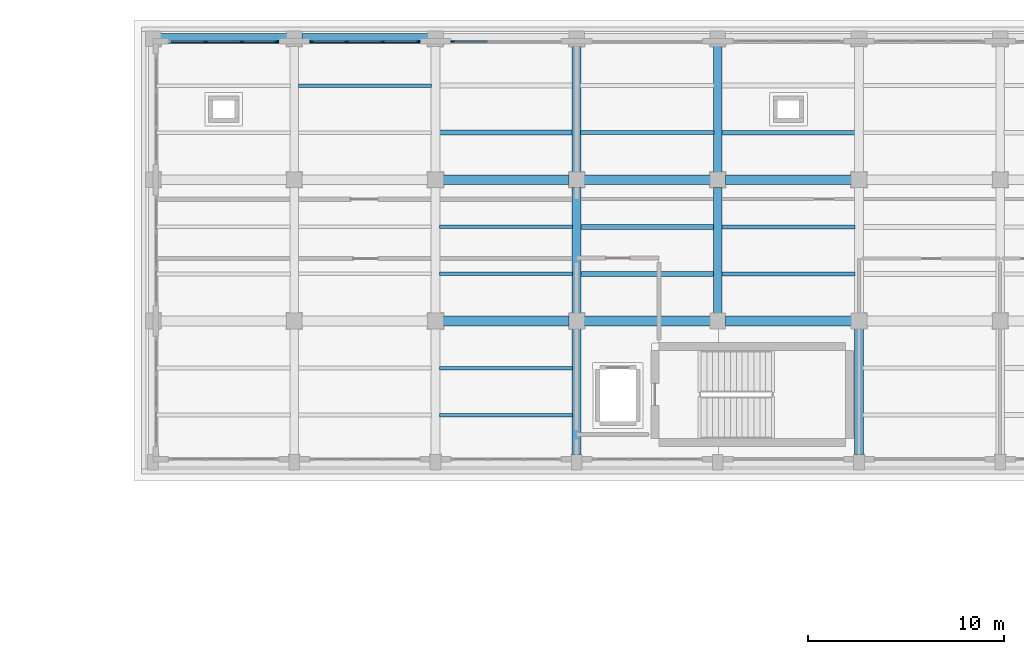
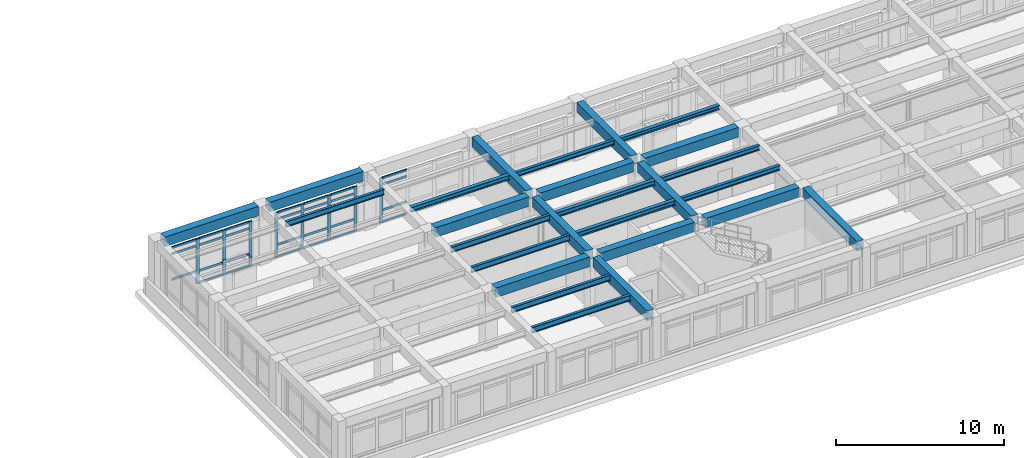
# One storey, part 54 of 98: 35 members, 26 beams, 3 elements without a shape of their own.
"""IFC4 building model written with IfcOpenShell, lengths in metres."""

from ifc_helpers import new_model, si_unit, direction, frame, origin, origin_2d, place, context, subcontext, project, spatial, rectangle, i_section, extrude, material, layer, layer_set, material_profile, profile_set, type_object, element, aggregate, save


model = new_model("IFC4")

# Units and contexts
model_context = context("Model", 3, precision=1e-05, world=origin(), true_north=direction((0.0, 1.0)))
body_context = subcontext(model_context, "Body", "Model", "MODEL_VIEW")
ifc_project = project(units=[si_unit("LENGTHUNIT", "METRE"), si_unit("AREAUNIT", "SQUARE_METRE"), si_unit("VOLUMEUNIT", "CUBIC_METRE"), si_unit("PLANEANGLEUNIT", "RADIAN"), si_unit("MASSUNIT", "GRAM", prefix="KILO")], contexts=[model_context])

# Site, building, storey
site_placement = place(None, origin())
site = spatial("IfcSite", under=ifc_project, at=site_placement, CompositionType="ELEMENT")
building_placement = place(site_placement, origin())
building = spatial("IfcBuilding", under=site, at=building_placement, Name="Solenvale Faculty of Natural Sciences", CompositionType="ELEMENT")
storey_placement = place(building_placement, frame((0.0, 0.0, 9.0)))
storey = spatial("IfcBuildingStorey", under=building, at=storey_placement, Name="L02", CompositionType="ELEMENT", Elevation=9.0)

# Beams
ifc_material_1 = material(Name="Concrete 40 MPa", Category="concrete")
ifc_material_profile_1 = material_profile(ifc_material_1, rectangle(XDim=0.449951171875, YDim=0.699951171875, at=origin_2d()), Name="RC-BM-450x700")
ifc_profile_set_1 = profile_set([ifc_material_profile_1], Name="Concrete 40 MPa")
beam_type_1 = type_object("IfcBeamType", Name="BM-RC-450x700", PredefinedType="BEAM", material=ifc_profile_set_1)
beam_1_placement = place(storey_placement, frame((100.800048828125, 93.97998046875, 3.8701171875), z_axis=(0.0, 1.0, 0.0), x_axis=(-1.0, 0.0, 0.0)))
element("IfcBeam", 1, at=beam_1_placement, inside=storey, type_object=beam_type_1, Name="L02 Y-Girder X100.8 (93.6..100.8)", PredefinedType="BEAM", context=body_context, shape_type="SweptSolid", body=[
    extrude(rectangle(XDim=0.449951171875, YDim=0.699951171875, at=origin_2d()), origin(), (0.0, 0.0, 1.0), 6.43994140625),
])
for number, where, z_axis, x_axis, name in (
    (2, (100.800048828125, 101.179931640625, 3.8701171875), (0.0, 1.0, 0.0), (-1.0, 0.0, 0.0), "L02 Y-Girder X100.8 (100.8..108.0)"),
    (3, (100.800048828125, 108.3798828125, 3.8701171875), (0.0, 1.0, 0.0), (-1.0, 0.0, 0.0), "L02 Y-Girder X100.8 (108.0..115.2)"),
    (4, (108.0, 101.179931640625, 3.8701171875), (0.0, 1.0, 0.0), (-1.0, 0.0, 0.0), "L02 Y-Girder X108.0 (100.8..108.0)"),
    (5, (108.0, 108.3798828125, 3.8701171875), (0.0, 1.0, 0.0), (-1.0, 0.0, 0.0), "L02 Y-Girder X108.0 (108.0..115.2)"),
):
    element("IfcBeam", number, at=place(storey_placement, frame(where, z_axis=z_axis, x_axis=x_axis)), inside=storey, type_object=beam_type_1, Name=name, PredefinedType="BEAM", context=body_context, shape_type="SweptSolid", body=[
        extrude(rectangle(XDim=0.449951171875, YDim=0.699951171875, at=origin_2d()), origin(), (0.0, 0.0, 1.0), 6.440185546875),
    ])
beam_2_placement = place(storey_placement, frame((115.199951171875, 93.97998046875, 3.8701171875), z_axis=(0.0, 1.0, 0.0), x_axis=(-1.0, 0.0, 0.0)))
element("IfcBeam", 6, at=beam_2_placement, inside=storey, type_object=beam_type_1, Name="L02 Y-Girder X115.2 (93.6..100.8)", PredefinedType="BEAM", context=body_context, shape_type="SweptSolid", body=[
    extrude(rectangle(XDim=0.449951171875, YDim=0.699951171875, at=origin_2d()), origin(), (0.0, 0.0, 1.0), 6.43994140625),
])
ifc_material_profile_2 = material_profile(ifc_material_1, rectangle(XDim=0.5, YDim=0.699951171875, at=origin_2d()), Name="RC-BM-500x700")
ifc_profile_set_2 = profile_set([ifc_material_profile_2], Name="Concrete 40 MPa")
beam_type_2 = type_object("IfcBeamType", Name="BM-RC-500x700", PredefinedType="BEAM", material=ifc_profile_set_2)
beam_3_placement = place(storey_placement, frame((93.97998046875, 100.800048828125, 3.8701171875), z_axis=(1.0, 0.0, 0.0), x_axis=(0.0, 1.0, 0.0)))
element("IfcBeam", 7, at=beam_3_placement, inside=storey, type_object=beam_type_2, Name="L02 X-Girder Y100.8 (93.6..100.8)", PredefinedType="BEAM", context=body_context, shape_type="SweptSolid", body=[
    extrude(rectangle(XDim=0.5, YDim=0.699951171875, at=origin_2d()), origin(), (0.0, 0.0, 1.0), 6.43994140625),
])
for number, where, z_axis, x_axis, name in (
    (8, (101.179931640625, 100.800048828125, 3.8701171875), (1.0, 0.0, 0.0), (0.0, 1.0, 0.0), "L02 X-Girder Y100.8 (100.8..108.0)"),
    (9, (108.3798828125, 100.800048828125, 3.8701171875), (1.0, 0.0, 0.0), (0.0, 1.0, 0.0), "L02 X-Girder Y100.8 (108.0..115.2)"),
):
    element("IfcBeam", number, at=place(storey_placement, frame(where, z_axis=z_axis, x_axis=x_axis)), inside=storey, type_object=beam_type_2, Name=name, PredefinedType="BEAM", context=body_context, shape_type="SweptSolid", body=[
        extrude(rectangle(XDim=0.5, YDim=0.699951171875, at=origin_2d()), origin(), (0.0, 0.0, 1.0), 6.440185546875),
    ])
beam_4_placement = place(storey_placement, frame((93.97998046875, 108.0, 3.8701171875), z_axis=(1.0, 0.0, 0.0), x_axis=(0.0, 1.0, 0.0)))
element("IfcBeam", 10, at=beam_4_placement, inside=storey, type_object=beam_type_2, Name="L02 X-Girder Y108.0 (93.6..100.8)", PredefinedType="BEAM", context=body_context, shape_type="SweptSolid", body=[
    extrude(rectangle(XDim=0.5, YDim=0.699951171875, at=origin_2d()), origin(), (0.0, 0.0, 1.0), 6.43994140625),
])
for number, where, z_axis, x_axis, name in (
    (11, (101.179931640625, 108.0, 3.8701171875), (1.0, 0.0, 0.0), (0.0, 1.0, 0.0), "L02 X-Girder Y108.0 (100.8..108.0)"),
    (12, (108.3798828125, 108.0, 3.8701171875), (1.0, 0.0, 0.0), (0.0, 1.0, 0.0), "L02 X-Girder Y108.0 (108.0..115.2)"),
):
    element("IfcBeam", number, at=place(storey_placement, frame(where, z_axis=z_axis, x_axis=x_axis)), inside=storey, type_object=beam_type_2, Name=name, PredefinedType="BEAM", context=body_context, shape_type="SweptSolid", body=[
        extrude(rectangle(XDim=0.5, YDim=0.699951171875, at=origin_2d()), origin(), (0.0, 0.0, 1.0), 6.440185546875),
    ])
ifc_material_2 = material(Name="Precast concrete 40 MPa", Category="concrete")
ifc_material_profile_3 = material_profile(ifc_material_2, rectangle(XDim=0.5, YDim=0.699951171875, at=origin_2d()), Name="RC-BM-500x700")
ifc_profile_set_3 = profile_set([ifc_material_profile_3], Name="Precast concrete 40 MPa")
beam_type_3 = type_object("IfcBeamType", Name="BM-SPN-PRC-700", PredefinedType="SPANDREL", material=ifc_profile_set_3)
for number, where, z_axis, x_axis, name in (
    (13, (79.580078125, 115.199951171875, 3.8701171875), (1.0, 0.0, 0.0), (0.0, 1.0, 0.0), "L02 X-Girder Y115.2 (79.2..86.4)"),
    (14, (86.780029296875, 115.199951171875, 3.8701171875), (1.0, 0.0, 0.0), (0.0, 1.0, 0.0), "L02 X-Girder Y115.2 (86.4..93.6)"),
):
    element("IfcBeam", number, at=place(storey_placement, frame(where, z_axis=z_axis, x_axis=x_axis)), inside=storey, type_object=beam_type_3, Name=name, PredefinedType="SPANDREL", context=body_context, shape_type="SweptSolid", body=[
        extrude(rectangle(XDim=0.5, YDim=0.699951171875, at=origin_2d()), origin(), (0.0, 0.0, 1.0), 6.43994140625),
    ])
ifc_material_3 = material(Name="Steel S355", Category="steel")
ifc_material_profile_4 = material_profile(ifc_material_3, i_section(OverallWidth=0.25390625, OverallDepth=0.305908203125, WebThickness=0.0087890625, FlangeThickness=0.0146484375, FilletRadius=0.014892578125, at=origin_2d()), Name="W310x79")
ifc_profile_set_4 = profile_set([ifc_material_profile_4], Name="Steel S355")
beam_type_4 = type_object("IfcBeamType", Name="BM-STL-W310x79", PredefinedType="JOIST", material=ifc_profile_set_4)
beam_5_placement = place(storey_placement, frame((108.205078125, 110.39990234375, 4.06689453125), z_axis=(1.0, 0.0, 0.0), x_axis=(0.0, 1.0, 0.0)))
element("IfcBeam", 15, at=beam_5_placement, inside=storey, type_object=beam_type_4, Name="L02 Composite Floor Joist (16,16).1", PredefinedType="JOIST", context=body_context, shape_type="SweptSolid", body=[
    extrude(i_section(OverallWidth=0.25390625, OverallDepth=0.305908203125, WebThickness=0.0087890625, FlangeThickness=0.0146484375, FilletRadius=0.014892578125, at=origin_2d()), origin(), (0.0, 0.0, 1.0), 6.7900390625),
])
ifc_material_profile_5 = material_profile(ifc_material_3, i_section(OverallWidth=0.2548828125, OverallDepth=0.35693359375, WebThickness=0.010498046875, FlangeThickness=0.018310546875, FilletRadius=0.014892578125, at=origin_2d()), Name="W360x101")
ifc_profile_set_5 = profile_set([ifc_material_profile_5], Name="Steel S355")
beam_type_5 = type_object("IfcBeamType", Name="BM-STL-W360x101", PredefinedType="JOIST", material=ifc_profile_set_5)
for number, where, z_axis, x_axis, name in (
    (16, (93.804931640625, 110.39990234375, 4.04150390625), (1.0, 0.0, 0.0), (0.0, 1.0, 0.0), "L02 Composite Floor Joist (14,16).1"),
    (17, (101.0048828125, 103.199951171875, 4.04150390625), (1.0, 0.0, 0.0), (0.0, 1.0, 0.0), "L02 Composite Floor Joist (15,15).1"),
    (18, (101.0048828125, 105.60009765625, 4.04150390625), (1.0, 0.0, 0.0), (0.0, 1.0, 0.0), "L02 Composite Floor Joist (15,15).2"),
):
    element("IfcBeam", number, at=place(storey_placement, frame(where, z_axis=z_axis, x_axis=x_axis)), inside=storey, type_object=beam_type_5, Name=name, PredefinedType="JOIST", context=body_context, shape_type="SweptSolid", body=[
        extrude(i_section(OverallWidth=0.2548828125, OverallDepth=0.35693359375, WebThickness=0.010498046875, FlangeThickness=0.018310546875, FilletRadius=0.014892578125, at=origin_2d()), origin(), (0.0, 0.0, 1.0), 6.7900390625),
    ])
ifc_material_profile_6 = material_profile(ifc_material_3, i_section(OverallWidth=0.2041015625, OverallDepth=0.35009765625, WebThickness=0.008544921875, FlangeThickness=0.01513671875, FilletRadius=0.014892578125, at=origin_2d()), Name="W360x72")
ifc_profile_set_6 = profile_set([ifc_material_profile_6], Name="Steel S355")
beam_type_6 = type_object("IfcBeamType", Name="BM-STL-W360x72", PredefinedType="JOIST", material=ifc_profile_set_6)
for number, where, z_axis, x_axis, name in (
    (19, (101.0048828125, 110.39990234375, 4.044921875), (1.0, 0.0, 0.0), (0.0, 1.0, 0.0), "L02 Composite Floor Joist (15,16).1"),
    (20, (108.205078125, 103.199951171875, 4.044921875), (1.0, 0.0, 0.0), (0.0, 1.0, 0.0), "L02 Composite Floor Joist (16,15).1"),
    (21, (108.205078125, 105.60009765625, 4.044921875), (1.0, 0.0, 0.0), (0.0, 1.0, 0.0), "L02 Composite Floor Joist (16,15).2"),
):
    element("IfcBeam", number, at=place(storey_placement, frame(where, z_axis=z_axis, x_axis=x_axis)), inside=storey, type_object=beam_type_6, Name=name, PredefinedType="JOIST", context=body_context, shape_type="SweptSolid", body=[
        extrude(i_section(OverallWidth=0.2041015625, OverallDepth=0.35009765625, WebThickness=0.008544921875, FlangeThickness=0.01513671875, FilletRadius=0.014892578125, at=origin_2d()), origin(), (0.0, 0.0, 1.0), 6.7900390625),
    ])
ifc_material_profile_7 = material_profile(ifc_material_3, i_section(OverallWidth=0.178955078125, OverallDepth=0.409912109375, WebThickness=0.0087890625, FlangeThickness=0.014404296875, FilletRadius=0.01611328125, at=origin_2d()), Name="W410x67")
ifc_profile_set_7 = profile_set([ifc_material_profile_7], Name="Steel S355")
beam_type_7 = type_object("IfcBeamType", Name="BM-STL-W410x67", PredefinedType="JOIST", material=ifc_profile_set_7)
for number, where, z_axis, x_axis, name in (
    (22, (86.60498046875, 112.800048828125, 4.014892578125), (1.0, 0.0, 0.0), (0.0, 1.0, 0.0), "L02 Composite Floor Joist (13,16).2"),
    (23, (93.804931640625, 103.199951171875, 4.014892578125), (1.0, 0.0, 0.0), (0.0, 1.0, 0.0), "L02 Composite Floor Joist (14,15).1"),
    (24, (93.804931640625, 105.60009765625, 4.014892578125), (1.0, 0.0, 0.0), (0.0, 1.0, 0.0), "L02 Composite Floor Joist (14,15).2"),
):
    element("IfcBeam", number, at=place(storey_placement, frame(where, z_axis=z_axis, x_axis=x_axis)), inside=storey, type_object=beam_type_7, Name=name, PredefinedType="JOIST", context=body_context, shape_type="SweptSolid", body=[
        extrude(i_section(OverallWidth=0.178955078125, OverallDepth=0.409912109375, WebThickness=0.0087890625, FlangeThickness=0.014404296875, FilletRadius=0.01611328125, at=origin_2d()), origin(), (0.0, 0.0, 1.0), 6.7900390625),
    ])
ifc_material_profile_8 = material_profile(ifc_material_3, i_section(OverallWidth=0.180908203125, OverallDepth=0.4169921875, WebThickness=0.010986328125, FlangeThickness=0.018310546875, FilletRadius=0.01611328125, at=origin_2d()), Name="W410x85")
ifc_profile_set_8 = profile_set([ifc_material_profile_8], Name="Steel S355")
beam_type_8 = type_object("IfcBeamType", Name="BM-STL-W410x85", PredefinedType="JOIST", material=ifc_profile_set_8)
for number, where, z_axis, x_axis, name in (
    (25, (93.804931640625, 96.0, 4.011474609375), (1.0, 0.0, 0.0), (0.0, 1.0, 0.0), "L02 Composite Floor Joist (14,14).1"),
    (26, (93.804931640625, 98.39990234375, 4.011474609375), (1.0, 0.0, 0.0), (0.0, 1.0, 0.0), "L02 Composite Floor Joist (14,14).2"),
):
    element("IfcBeam", number, at=place(storey_placement, frame(where, z_axis=z_axis, x_axis=x_axis)), inside=storey, type_object=beam_type_8, Name=name, PredefinedType="JOIST", context=body_context, shape_type="SweptSolid", body=[
        extrude(i_section(OverallWidth=0.180908203125, OverallDepth=0.4169921875, WebThickness=0.010986328125, FlangeThickness=0.018310546875, FilletRadius=0.01611328125, at=origin_2d()), origin(), (0.0, 0.0, 1.0), 6.7900390625),
    ])

# Curtain wall, member
ifc_material_4 = material(Name="Anodised bronze aluminium", Category="aluminium")
ifc_layer = layer(ifc_material_4, 0.179931640625)
ifc_layer_set = layer_set([ifc_layer], Name="Anodised bronze aluminium")
curtain_wall_type = type_object("IfcCurtainWallType", Name="CW-TWR-MOD", PredefinedType="USERDEFINED", material=ifc_layer_set)
curtain_wall_1_placement = place(storey_placement, origin())
curtain_wall_1 = element("IfcCurtainWall", 27, at=curtain_wall_1_placement, inside=storey, type_object=curtain_wall_type, Name="L02 Curtain Wall CW-L02-P2-E4-B8", ObjectType="UNITISED CURTAIN WALL", PredefinedType="USERDEFINED")
ifc_material_profile_9 = material_profile(ifc_material_4, rectangle(XDim=0.074951171875, YDim=0.2099609375, at=origin_2d()), Name="ALU-MUL-75x210")
ifc_profile_set_9 = profile_set([ifc_material_profile_9], Name="Anodised bronze aluminium")
member_type_1 = type_object("IfcMemberType", Name="CWM-ALU-75x210", PredefinedType="MULLION", material=ifc_profile_set_9)
member_1_placement = place(storey_placement, frame((94.487548828125, 115.0576171875, 0.0), z_axis=(0.0, 0.0, 1.0), x_axis=(0.0, -1.0, 0.0)))
member_1 = element("IfcMember", 28, at=member_1_placement, type_object=member_type_1, Name="CW-04 mullion 4", PredefinedType="MULLION", context=body_context, shape_type="SweptSolid", body=[
    extrude(rectangle(XDim=0.074951171875, YDim=0.2099609375, at=origin_2d()), origin(), (0.0, 0.0, 1.0), 3.260009765625),
])

# Curtain wall, members
curtain_wall_2_placement = place(storey_placement, origin())
curtain_wall_2 = element("IfcCurtainWall", 29, at=curtain_wall_2_placement, inside=storey, type_object=curtain_wall_type, Name="L02 Curtain Wall CW-L02-P2-E4-B9", ObjectType="UNITISED CURTAIN WALL", PredefinedType="USERDEFINED")
member_2_placement = place(storey_placement, frame((92.71240234375, 115.0576171875, 0.0), z_axis=(0.0, 0.0, 1.0), x_axis=(0.0, -1.0, 0.0)))
member_2 = element("IfcMember", 30, at=member_2_placement, type_object=member_type_1, Name="CW-04 mullion 1", PredefinedType="MULLION", context=body_context, shape_type="SweptSolid", body=[
    extrude(rectangle(XDim=0.074951171875, YDim=0.2099609375, at=origin_2d()), origin(), (0.0, 0.0, 1.0), 3.260009765625),
])
member_3_placement = place(storey_placement, frame((90.916748046875, 115.0576171875, 0.0), z_axis=(0.0, 0.0, 1.0), x_axis=(0.0, -1.0, 0.0)))
member_3 = element("IfcMember", 31, at=member_3_placement, type_object=member_type_1, Name="CW-04 mullion 2", PredefinedType="MULLION", context=body_context, shape_type="SweptSolid", body=[
    extrude(rectangle(XDim=0.074951171875, YDim=0.2099609375, at=origin_2d()), origin(), (0.0, 0.0, 1.0), 3.260009765625),
])
member_4_placement = place(storey_placement, frame((89.083251953125, 115.0576171875, 0.0), z_axis=(0.0, 0.0, 1.0), x_axis=(0.0, -1.0, 0.0)))
member_4 = element("IfcMember", 32, at=member_4_placement, type_object=member_type_1, Name="CW-04 mullion 3", PredefinedType="MULLION", context=body_context, shape_type="SweptSolid", body=[
    extrude(rectangle(XDim=0.074951171875, YDim=0.2099609375, at=origin_2d()), origin(), (0.0, 0.0, 1.0), 3.260009765625),
])
member_5_placement = place(storey_placement, frame((87.28759765625, 115.0576171875, 0.0), z_axis=(0.0, 0.0, 1.0), x_axis=(0.0, -1.0, 0.0)))
member_5 = element("IfcMember", 33, at=member_5_placement, type_object=member_type_1, Name="CW-04 mullion 4", PredefinedType="MULLION", context=body_context, shape_type="SweptSolid", body=[
    extrude(rectangle(XDim=0.074951171875, YDim=0.2099609375, at=origin_2d()), origin(), (0.0, 0.0, 1.0), 3.260009765625),
])

curtain_wall_3_placement = place(storey_placement, origin())
curtain_wall_3 = element("IfcCurtainWall", 34, at=curtain_wall_3_placement, inside=storey, type_object=curtain_wall_type, Name="L02 Curtain Wall CW-L02-P2-E4-B10", ObjectType="UNITISED CURTAIN WALL", PredefinedType="USERDEFINED")
member_6_placement = place(storey_placement, frame((85.512451171875, 115.0576171875, 0.0), z_axis=(0.0, 0.0, 1.0), x_axis=(0.0, -1.0, 0.0)))
member_6 = element("IfcMember", 35, at=member_6_placement, type_object=member_type_1, Name="CW-04 mullion 1", PredefinedType="MULLION", context=body_context, shape_type="SweptSolid", body=[
    extrude(rectangle(XDim=0.074951171875, YDim=0.2099609375, at=origin_2d()), origin(), (0.0, 0.0, 1.0), 3.260009765625),
])
member_7_placement = place(storey_placement, frame((83.716552734375, 115.0576171875, 0.0), z_axis=(0.0, 0.0, 1.0), x_axis=(0.0, -1.0, 0.0)))
member_7 = element("IfcMember", 36, at=member_7_placement, type_object=member_type_1, Name="CW-04 mullion 2", PredefinedType="MULLION", context=body_context, shape_type="SweptSolid", body=[
    extrude(rectangle(XDim=0.074951171875, YDim=0.2099609375, at=origin_2d()), origin(), (0.0, 0.0, 1.0), 3.260009765625),
])
member_8_placement = place(storey_placement, frame((81.88330078125, 115.0576171875, 0.0), z_axis=(0.0, 0.0, 1.0), x_axis=(0.0, -1.0, 0.0)))
member_8 = element("IfcMember", 37, at=member_8_placement, type_object=member_type_1, Name="CW-04 mullion 3", PredefinedType="MULLION", context=body_context, shape_type="SweptSolid", body=[
    extrude(rectangle(XDim=0.074951171875, YDim=0.2099609375, at=origin_2d()), origin(), (0.0, 0.0, 1.0), 3.260009765625),
])

# Member
ifc_material_profile_10 = material_profile(ifc_material_4, rectangle(XDim=0.074951171875, YDim=0.155029296875, at=origin_2d()), Name="ALU-TRN-75x155")
ifc_profile_set_10 = profile_set([ifc_material_profile_10], Name="Anodised bronze aluminium")
member_type_2 = type_object("IfcMemberType", Name="CWT-ALU-75x155", PredefinedType="USERDEFINED", material=ifc_profile_set_10)
member_9_placement = place(storey_placement, frame((96.245849609375, 115.0576171875, 0.03759765625), z_axis=(-1.0, 0.0, 0.0), x_axis=(0.0, -1.0, 0.0)))
member_9 = element("IfcMember", 38, at=member_9_placement, type_object=member_type_2, Name="CW-04 transom 3.1", ObjectType="TRANSOM", PredefinedType="USERDEFINED", context=body_context, shape_type="SweptSolid", body=[
    extrude(rectangle(XDim=0.074951171875, YDim=0.155029296875, at=origin_2d()), origin(), (0.0, 0.0, 1.0), 1.720947265625),
])

member_10_placement = place(storey_placement, frame((96.245849609375, 115.0576171875, 0.89990234375), z_axis=(-1.0, 0.0, 0.0), x_axis=(0.0, -1.0, 0.0)))
member_10 = element("IfcMember", 39, at=member_10_placement, type_object=member_type_2, Name="CW-04 transom 3.2", ObjectType="TRANSOM", PredefinedType="USERDEFINED", context=body_context, shape_type="SweptSolid", body=[
    extrude(rectangle(XDim=0.074951171875, YDim=0.155029296875, at=origin_2d()), origin(), (0.0, 0.0, 1.0), 1.720947265625),
])

member_11_placement = place(storey_placement, frame((96.245849609375, 115.0576171875, 2.760009765625), z_axis=(-1.0, 0.0, 0.0), x_axis=(0.0, -1.0, 0.0)))
member_11 = element("IfcMember", 40, at=member_11_placement, type_object=member_type_2, Name="CW-04 transom 3.3", ObjectType="TRANSOM", PredefinedType="USERDEFINED", context=body_context, shape_type="SweptSolid", body=[
    extrude(rectangle(XDim=0.074951171875, YDim=0.155029296875, at=origin_2d()), origin(), (0.0, 0.0, 1.0), 1.720947265625),
])

member_12_placement = place(storey_placement, frame((96.245849609375, 115.0576171875, 3.222412109375), z_axis=(-1.0, 0.0, 0.0), x_axis=(0.0, -1.0, 0.0)))
member_12 = element("IfcMember", 41, at=member_12_placement, type_object=member_type_2, Name="CW-04 transom 3.4", ObjectType="TRANSOM", PredefinedType="USERDEFINED", context=body_context, shape_type="SweptSolid", body=[
    extrude(rectangle(XDim=0.074951171875, YDim=0.155029296875, at=origin_2d()), origin(), (0.0, 0.0, 1.0), 1.720947265625),
])

aggregate(curtain_wall_1, [member_1, member_9, member_10, member_11, member_12])

member_13_placement = place(storey_placement, frame((92.675048828125, 115.0576171875, 0.03759765625), z_axis=(-1.0, 0.0, 0.0), x_axis=(0.0, -1.0, 0.0)))
member_13 = element("IfcMember", 42, at=member_13_placement, type_object=member_type_2, Name="CW-04 transom 1.1", ObjectType="TRANSOM", PredefinedType="USERDEFINED", context=body_context, shape_type="SweptSolid", body=[
    extrude(rectangle(XDim=0.074951171875, YDim=0.155029296875, at=origin_2d()), origin(), (0.0, 0.0, 1.0), 1.720947265625),
])

member_14_placement = place(storey_placement, frame((92.675048828125, 115.0576171875, 0.89990234375), z_axis=(-1.0, 0.0, 0.0), x_axis=(0.0, -1.0, 0.0)))
member_14 = element("IfcMember", 43, at=member_14_placement, type_object=member_type_2, Name="CW-04 transom 1.2", ObjectType="TRANSOM", PredefinedType="USERDEFINED", context=body_context, shape_type="SweptSolid", body=[
    extrude(rectangle(XDim=0.074951171875, YDim=0.155029296875, at=origin_2d()), origin(), (0.0, 0.0, 1.0), 1.720947265625),
])

member_15_placement = place(storey_placement, frame((92.675048828125, 115.0576171875, 2.760009765625), z_axis=(-1.0, 0.0, 0.0), x_axis=(0.0, -1.0, 0.0)))
member_15 = element("IfcMember", 44, at=member_15_placement, type_object=member_type_2, Name="CW-04 transom 1.3", ObjectType="TRANSOM", PredefinedType="USERDEFINED", context=body_context, shape_type="SweptSolid", body=[
    extrude(rectangle(XDim=0.074951171875, YDim=0.155029296875, at=origin_2d()), origin(), (0.0, 0.0, 1.0), 1.720947265625),
])

member_16_placement = place(storey_placement, frame((92.675048828125, 115.0576171875, 3.222412109375), z_axis=(-1.0, 0.0, 0.0), x_axis=(0.0, -1.0, 0.0)))
member_16 = element("IfcMember", 45, at=member_16_placement, type_object=member_type_2, Name="CW-04 transom 1.4", ObjectType="TRANSOM", PredefinedType="USERDEFINED", context=body_context, shape_type="SweptSolid", body=[
    extrude(rectangle(XDim=0.074951171875, YDim=0.155029296875, at=origin_2d()), origin(), (0.0, 0.0, 1.0), 1.720947265625),
])

member_17_placement = place(storey_placement, frame((90.879150390625, 115.0576171875, 0.03759765625), z_axis=(-1.0, 0.0, 0.0), x_axis=(0.0, -1.0, 0.0)))
member_17 = element("IfcMember", 46, at=member_17_placement, type_object=member_type_2, Name="CW-04 transom 2.1", ObjectType="TRANSOM", PredefinedType="USERDEFINED", context=body_context, shape_type="SweptSolid", body=[
    extrude(rectangle(XDim=0.074951171875, YDim=0.155029296875, at=origin_2d()), origin(), (0.0, 0.0, 1.0), 1.75830078125),
])

member_18_placement = place(storey_placement, frame((90.879150390625, 115.0576171875, 0.89990234375), z_axis=(-1.0, 0.0, 0.0), x_axis=(0.0, -1.0, 0.0)))
member_18 = element("IfcMember", 47, at=member_18_placement, type_object=member_type_2, Name="CW-04 transom 2.2", ObjectType="TRANSOM", PredefinedType="USERDEFINED", context=body_context, shape_type="SweptSolid", body=[
    extrude(rectangle(XDim=0.074951171875, YDim=0.155029296875, at=origin_2d()), origin(), (0.0, 0.0, 1.0), 1.75830078125),
])

member_19_placement = place(storey_placement, frame((90.879150390625, 115.0576171875, 2.760009765625), z_axis=(-1.0, 0.0, 0.0), x_axis=(0.0, -1.0, 0.0)))
member_19 = element("IfcMember", 48, at=member_19_placement, type_object=member_type_2, Name="CW-04 transom 2.3", ObjectType="TRANSOM", PredefinedType="USERDEFINED", context=body_context, shape_type="SweptSolid", body=[
    extrude(rectangle(XDim=0.074951171875, YDim=0.155029296875, at=origin_2d()), origin(), (0.0, 0.0, 1.0), 1.75830078125),
])

member_20_placement = place(storey_placement, frame((90.879150390625, 115.0576171875, 3.222412109375), z_axis=(-1.0, 0.0, 0.0), x_axis=(0.0, -1.0, 0.0)))
member_20 = element("IfcMember", 49, at=member_20_placement, type_object=member_type_2, Name="CW-04 transom 2.4", ObjectType="TRANSOM", PredefinedType="USERDEFINED", context=body_context, shape_type="SweptSolid", body=[
    extrude(rectangle(XDim=0.074951171875, YDim=0.155029296875, at=origin_2d()), origin(), (0.0, 0.0, 1.0), 1.75830078125),
])

member_21_placement = place(storey_placement, frame((89.0458984375, 115.0576171875, 0.03759765625), z_axis=(-1.0, 0.0, 0.0), x_axis=(0.0, -1.0, 0.0)))
member_21 = element("IfcMember", 50, at=member_21_placement, type_object=member_type_2, Name="CW-04 transom 3.1", ObjectType="TRANSOM", PredefinedType="USERDEFINED", context=body_context, shape_type="SweptSolid", body=[
    extrude(rectangle(XDim=0.074951171875, YDim=0.155029296875, at=origin_2d()), origin(), (0.0, 0.0, 1.0), 1.720947265625),
])

member_22_placement = place(storey_placement, frame((89.0458984375, 115.0576171875, 0.89990234375), z_axis=(-1.0, 0.0, 0.0), x_axis=(0.0, -1.0, 0.0)))
member_22 = element("IfcMember", 51, at=member_22_placement, type_object=member_type_2, Name="CW-04 transom 3.2", ObjectType="TRANSOM", PredefinedType="USERDEFINED", context=body_context, shape_type="SweptSolid", body=[
    extrude(rectangle(XDim=0.074951171875, YDim=0.155029296875, at=origin_2d()), origin(), (0.0, 0.0, 1.0), 1.720947265625),
])

member_23_placement = place(storey_placement, frame((89.0458984375, 115.0576171875, 2.760009765625), z_axis=(-1.0, 0.0, 0.0), x_axis=(0.0, -1.0, 0.0)))
member_23 = element("IfcMember", 52, at=member_23_placement, type_object=member_type_2, Name="CW-04 transom 3.3", ObjectType="TRANSOM", PredefinedType="USERDEFINED", context=body_context, shape_type="SweptSolid", body=[
    extrude(rectangle(XDim=0.074951171875, YDim=0.155029296875, at=origin_2d()), origin(), (0.0, 0.0, 1.0), 1.720947265625),
])

member_24_placement = place(storey_placement, frame((89.0458984375, 115.0576171875, 3.222412109375), z_axis=(-1.0, 0.0, 0.0), x_axis=(0.0, -1.0, 0.0)))
member_24 = element("IfcMember", 53, at=member_24_placement, type_object=member_type_2, Name="CW-04 transom 3.4", ObjectType="TRANSOM", PredefinedType="USERDEFINED", context=body_context, shape_type="SweptSolid", body=[
    extrude(rectangle(XDim=0.074951171875, YDim=0.155029296875, at=origin_2d()), origin(), (0.0, 0.0, 1.0), 1.720947265625),
])

aggregate(curtain_wall_2, [member_2, member_3, member_4, member_5, member_13, member_14, member_15, member_16, member_17, member_18, member_19, member_20, member_21, member_22, member_23, member_24])

member_25_placement = place(storey_placement, frame((85.47509765625, 115.0576171875, 0.03759765625), z_axis=(-1.0, 0.0, 0.0), x_axis=(0.0, -1.0, 0.0)))
member_25 = element("IfcMember", 54, at=member_25_placement, type_object=member_type_2, Name="CW-04 transom 1.1", ObjectType="TRANSOM", PredefinedType="USERDEFINED", context=body_context, shape_type="SweptSolid", body=[
    extrude(rectangle(XDim=0.074951171875, YDim=0.155029296875, at=origin_2d()), origin(), (0.0, 0.0, 1.0), 1.720947265625),
])

member_26_placement = place(storey_placement, frame((85.47509765625, 115.0576171875, 0.89990234375), z_axis=(-1.0, 0.0, 0.0), x_axis=(0.0, -1.0, 0.0)))
member_26 = element("IfcMember", 55, at=member_26_placement, type_object=member_type_2, Name="CW-04 transom 1.2", ObjectType="TRANSOM", PredefinedType="USERDEFINED", context=body_context, shape_type="SweptSolid", body=[
    extrude(rectangle(XDim=0.074951171875, YDim=0.155029296875, at=origin_2d()), origin(), (0.0, 0.0, 1.0), 1.720947265625),
])

member_27_placement = place(storey_placement, frame((85.47509765625, 115.0576171875, 2.760009765625), z_axis=(-1.0, 0.0, 0.0), x_axis=(0.0, -1.0, 0.0)))
member_27 = element("IfcMember", 56, at=member_27_placement, type_object=member_type_2, Name="CW-04 transom 1.3", ObjectType="TRANSOM", PredefinedType="USERDEFINED", context=body_context, shape_type="SweptSolid", body=[
    extrude(rectangle(XDim=0.074951171875, YDim=0.155029296875, at=origin_2d()), origin(), (0.0, 0.0, 1.0), 1.720947265625),
])

member_28_placement = place(storey_placement, frame((85.47509765625, 115.0576171875, 3.222412109375), z_axis=(-1.0, 0.0, 0.0), x_axis=(0.0, -1.0, 0.0)))
member_28 = element("IfcMember", 57, at=member_28_placement, type_object=member_type_2, Name="CW-04 transom 1.4", ObjectType="TRANSOM", PredefinedType="USERDEFINED", context=body_context, shape_type="SweptSolid", body=[
    extrude(rectangle(XDim=0.074951171875, YDim=0.155029296875, at=origin_2d()), origin(), (0.0, 0.0, 1.0), 1.720947265625),
])

member_29_placement = place(storey_placement, frame((83.67919921875, 115.0576171875, 0.03759765625), z_axis=(-1.0, 0.0, 0.0), x_axis=(0.0, -1.0, 0.0)))
member_29 = element("IfcMember", 58, at=member_29_placement, type_object=member_type_2, Name="CW-04 transom 2.1", ObjectType="TRANSOM", PredefinedType="USERDEFINED", context=body_context, shape_type="SweptSolid", body=[
    extrude(rectangle(XDim=0.074951171875, YDim=0.155029296875, at=origin_2d()), origin(), (0.0, 0.0, 1.0), 1.75830078125),
])

member_30_placement = place(storey_placement, frame((83.67919921875, 115.0576171875, 0.89990234375), z_axis=(-1.0, 0.0, 0.0), x_axis=(0.0, -1.0, 0.0)))
member_30 = element("IfcMember", 59, at=member_30_placement, type_object=member_type_2, Name="CW-04 transom 2.2", ObjectType="TRANSOM", PredefinedType="USERDEFINED", context=body_context, shape_type="SweptSolid", body=[
    extrude(rectangle(XDim=0.074951171875, YDim=0.155029296875, at=origin_2d()), origin(), (0.0, 0.0, 1.0), 1.75830078125),
])

member_31_placement = place(storey_placement, frame((83.67919921875, 115.0576171875, 2.760009765625), z_axis=(-1.0, 0.0, 0.0), x_axis=(0.0, -1.0, 0.0)))
member_31 = element("IfcMember", 60, at=member_31_placement, type_object=member_type_2, Name="CW-04 transom 2.3", ObjectType="TRANSOM", PredefinedType="USERDEFINED", context=body_context, shape_type="SweptSolid", body=[
    extrude(rectangle(XDim=0.074951171875, YDim=0.155029296875, at=origin_2d()), origin(), (0.0, 0.0, 1.0), 1.75830078125),
])

member_32_placement = place(storey_placement, frame((83.67919921875, 115.0576171875, 3.222412109375), z_axis=(-1.0, 0.0, 0.0), x_axis=(0.0, -1.0, 0.0)))
member_32 = element("IfcMember", 61, at=member_32_placement, type_object=member_type_2, Name="CW-04 transom 2.4", ObjectType="TRANSOM", PredefinedType="USERDEFINED", context=body_context, shape_type="SweptSolid", body=[
    extrude(rectangle(XDim=0.074951171875, YDim=0.155029296875, at=origin_2d()), origin(), (0.0, 0.0, 1.0), 1.75830078125),
])

member_33_placement = place(storey_placement, frame((81.845947265625, 115.0576171875, 0.89990234375), z_axis=(-1.0, 0.0, 0.0), x_axis=(0.0, -1.0, 0.0)))
member_33 = element("IfcMember", 62, at=member_33_placement, type_object=member_type_2, Name="CW-04 transom 3.2", ObjectType="TRANSOM", PredefinedType="USERDEFINED", context=body_context, shape_type="SweptSolid", body=[
    extrude(rectangle(XDim=0.074951171875, YDim=0.155029296875, at=origin_2d()), origin(), (0.0, 0.0, 1.0), 1.720947265625),
])

member_34_placement = place(storey_placement, frame((81.845947265625, 115.0576171875, 2.760009765625), z_axis=(-1.0, 0.0, 0.0), x_axis=(0.0, -1.0, 0.0)))
member_34 = element("IfcMember", 63, at=member_34_placement, type_object=member_type_2, Name="CW-04 transom 3.3", ObjectType="TRANSOM", PredefinedType="USERDEFINED", context=body_context, shape_type="SweptSolid", body=[
    extrude(rectangle(XDim=0.074951171875, YDim=0.155029296875, at=origin_2d()), origin(), (0.0, 0.0, 1.0), 1.720947265625),
])

member_35_placement = place(storey_placement, frame((81.845947265625, 115.0576171875, 3.222412109375), z_axis=(-1.0, 0.0, 0.0), x_axis=(0.0, -1.0, 0.0)))
member_35 = element("IfcMember", 64, at=member_35_placement, type_object=member_type_2, Name="CW-04 transom 3.4", ObjectType="TRANSOM", PredefinedType="USERDEFINED", context=body_context, shape_type="SweptSolid", body=[
    extrude(rectangle(XDim=0.074951171875, YDim=0.155029296875, at=origin_2d()), origin(), (0.0, 0.0, 1.0), 1.720947265625),
])

aggregate(curtain_wall_3, [member_6, member_7, member_8, member_25, member_26, member_27, member_28, member_29, member_30, member_31, member_32, member_33, member_34, member_35])

save(model, "model.ifc")
